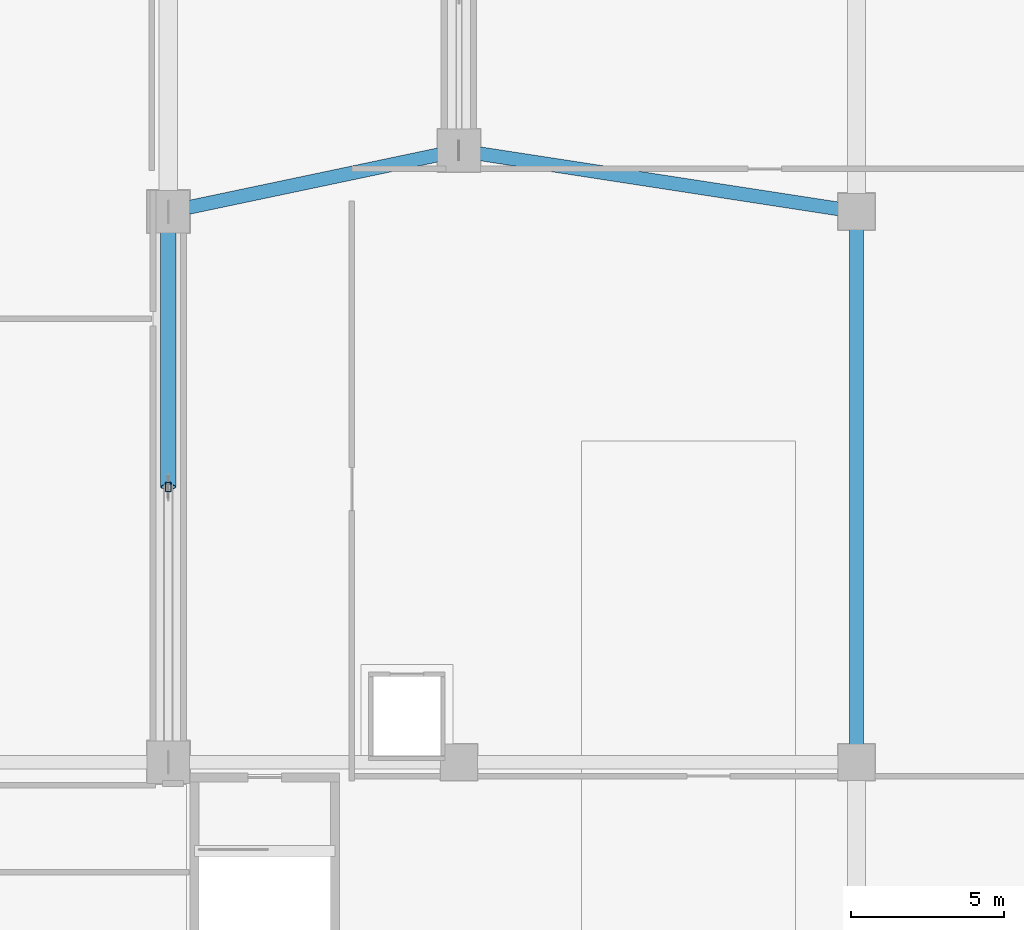
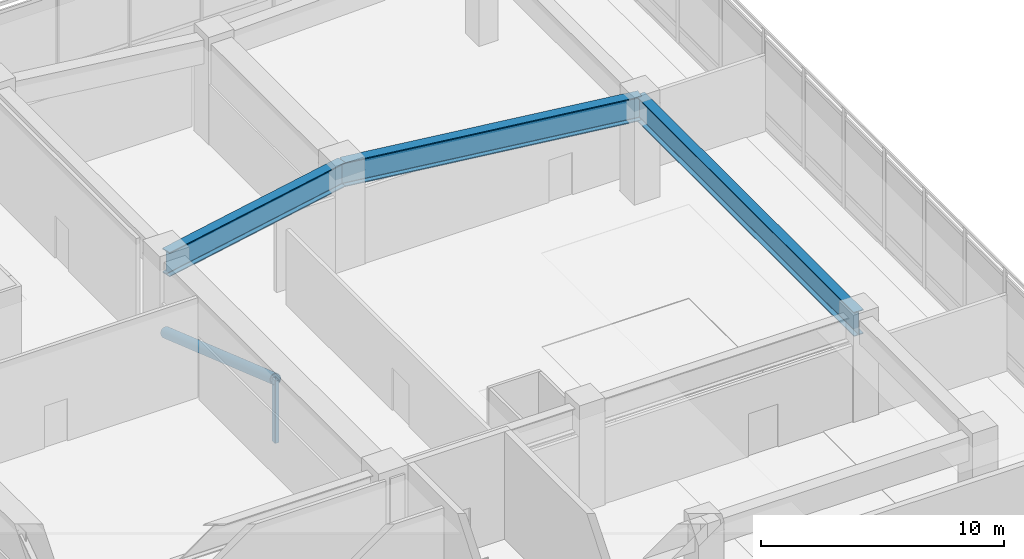
# One storey, part 7 of 21: 3 beams, 2 members.
"""IFC4 building model written with IfcOpenShell, lengths in metres."""

from ifc_helpers import new_model, si_unit, direction, frame, origin, origin_2d, place, context, subcontext, project, spatial, hollow_rectangle, hollow_circle, i_section, extrude, source, transform, mapped, material, material_profile, profile_set, type_object, element, save


model = new_model("IFC4")

# Units and contexts
model_context = context("Model", 3, precision=1e-05, world=origin(), true_north=direction((0.0, 1.0)))
body_context = subcontext(model_context, "Body", "Model", "MODEL_VIEW")
ifc_project = project(units=[si_unit("LENGTHUNIT", "METRE"), si_unit("AREAUNIT", "SQUARE_METRE"), si_unit("VOLUMEUNIT", "CUBIC_METRE"), si_unit("PLANEANGLEUNIT", "RADIAN"), si_unit("MASSUNIT", "GRAM", prefix="KILO")], contexts=[model_context])

# Site, building, storey
site_placement = place(None, origin())
site = spatial("IfcSite", under=ifc_project, at=site_placement, CompositionType="ELEMENT")
building_placement = place(site_placement, origin())
building = spatial("IfcBuilding", under=site, at=building_placement, Name="Calvemar Wedge Station Tower", CompositionType="ELEMENT")
storey_placement = place(building_placement, frame((0.0, 0.0, 21.60009765625)))
storey = spatial("IfcBuildingStorey", under=building, at=storey_placement, Name="L05", CompositionType="ELEMENT", Elevation=21.60009765625)

# Members
ifc_material = material(Name="Structural steel ASTM A572 Grade 50", Category="steel")
ifc_material_profile_1 = material_profile(ifc_material, hollow_rectangle(XDim=0.199951171875, YDim=0.300048828125, WallThickness=0.013916015625, InnerFilletRadius=0.013916015625, OuterFilletRadius=0.028076171875, at=origin_2d()), Name="HSS300x200x14")
ifc_profile_set_1 = profile_set([ifc_material_profile_1], Name="Structural steel ASTM A572 Grade 50")
member_type_1 = type_object("IfcMemberType", Name="MEM-ST1-HSS300", PredefinedType="STRUT", material=ifc_profile_set_1)
shared_shape_1 = source(origin(), body_context, "Body", "SweptSolid", [
    extrude(hollow_rectangle(XDim=0.199951171875, YDim=0.300048828125, WallThickness=0.013916015625, InnerFilletRadius=0.013916015625, OuterFilletRadius=0.028076171875, at=origin_2d()), origin(), (0.0, 0.0, 1.0), 3.118896484375),
])
member_1_placement = place(storey_placement, frame((38.5, 24.0, 0.930908203125), z_axis=(0.0, 0.0, 1.0), x_axis=(1.0, 0.0, 0.0)))
element("IfcMember", 1, at=member_1_placement, inside=storey, type_object=member_type_1, Name="Warren Transfer Truss TR4 Web Hanger 1", PredefinedType="STRUT", context=body_context, shape_type="MappedRepresentation", body=[
    mapped(shared_shape_1, transform((0.0, 0.0, 0.0), scale=1.0)),
])
ifc_material_profile_2 = material_profile(ifc_material, hollow_circle(Radius=0.25390625, WallThickness=0.02490234375, at=origin_2d()), Name="CHS508x25")
ifc_profile_set_2 = profile_set([ifc_material_profile_2], Name="Structural steel ASTM A572 Grade 50")
member_type_2 = type_object("IfcMemberType", Name="MEM-D2-CHS508", PredefinedType="BRACE", material=ifc_profile_set_2)
shared_shape_2 = source(origin(), body_context, "Body", "SweptSolid", [
    extrude(hollow_circle(Radius=0.25390625, WallThickness=0.02490234375, at=origin_2d()), origin(), (0.0, 0.0, 1.0), 9.525146484375),
])
member_2_placement = place(storey_placement, frame((38.5, 24.0, 4.0498046875), z_axis=(0.0, 0.944872046549, -0.327439789352), x_axis=(-1.0, 0.0, 0.0)))
element("IfcMember", 2, at=member_2_placement, inside=storey, type_object=member_type_2, Name="Warren Transfer Truss TR4 Diagonal 1B", PredefinedType="BRACE", context=body_context, shape_type="MappedRepresentation", body=[
    mapped(shared_shape_2, transform((0.0, 0.0, 0.0), scale=1.0)),
])

# Beams
ifc_material_profile_3 = material_profile(ifc_material, i_section(OverallWidth=0.449951171875, OverallDepth=1.219970703125, WebThickness=0.02587890625, FlangeThickness=0.0458984375, FilletRadius=0.02392578125, at=origin_2d()), Name="W1200x540")
ifc_profile_set_3 = profile_set([ifc_material_profile_3], Name="Structural steel ASTM A572 Grade 50")
beam_type = type_object("IfcBeamType", Name="BM-TG3-W1200", PredefinedType="BEAM", material=ifc_profile_set_3)
shared_shape_3 = source(origin(), body_context, "Body", "SweptSolid", [
    extrude(i_section(OverallWidth=0.449951171875, OverallDepth=1.219970703125, WebThickness=0.02587890625, FlangeThickness=0.0458984375, FilletRadius=0.02392578125, at=origin_2d()), origin(), (0.0, 0.0, 1.0), 9.708251953125),
])
beam_1_placement = place(storey_placement, frame((38.5, 33.0, 4.43994140625), z_axis=(0.978549784987, 0.20601048105, 0.0), x_axis=(-0.20601048105, 0.978549784987, 0.0)))
element("IfcBeam", 3, at=beam_1_placement, inside=storey, type_object=beam_type, Name="L05 Transfer Deck Tie Girder P-CN5-P-CN6", PredefinedType="BEAM", context=body_context, shape_type="MappedRepresentation", body=[
    mapped(shared_shape_3, transform((0.0, 0.0, 0.0), scale=1.0)),
])
shared_shape_4 = source(origin(), body_context, "Body", "SweptSolid", [
    extrude(i_section(OverallWidth=0.449951171875, OverallDepth=1.219970703125, WebThickness=0.02587890625, FlangeThickness=0.0458984375, FilletRadius=0.02392578125, at=origin_2d()), origin(), (0.0, 0.0, 1.0), 13.15283203125),
])
beam_2_placement = place(storey_placement, frame((48.0, 35.0, 4.43994140625), z_axis=(0.988371697651, -0.152057184254, 0.0), x_axis=(0.152057184254, 0.988371697651, 0.0)))
element("IfcBeam", 4, at=beam_2_placement, inside=storey, type_object=beam_type, Name="L05 Transfer Deck Tie Girder P-CN6-P-CN7", PredefinedType="BEAM", context=body_context, shape_type="MappedRepresentation", body=[
    mapped(shared_shape_4, transform((0.0, 0.0, 0.0), scale=1.0)),
])
shared_shape_5 = source(origin(), body_context, "Body", "SweptSolid", [
    extrude(i_section(OverallWidth=0.449951171875, OverallDepth=1.219970703125, WebThickness=0.02587890625, FlangeThickness=0.0458984375, FilletRadius=0.02392578125, at=origin_2d()), origin(), (0.0, 0.0, 1.0), 18.0),
])
beam_3_placement = place(storey_placement, frame((61.0, 15.0, 4.43994140625), z_axis=(0.0, 1.0, 0.0), x_axis=(-1.0, 0.0, 0.0)))
element("IfcBeam", 5, at=beam_3_placement, inside=storey, type_object=beam_type, Name="L05 Transfer Deck Tie Girder P-CS6-P-CN7", PredefinedType="BEAM", context=body_context, shape_type="MappedRepresentation", body=[
    mapped(shared_shape_5, transform((0.0, 0.0, 0.0), scale=1.0)),
])

save(model, "model.ifc")
